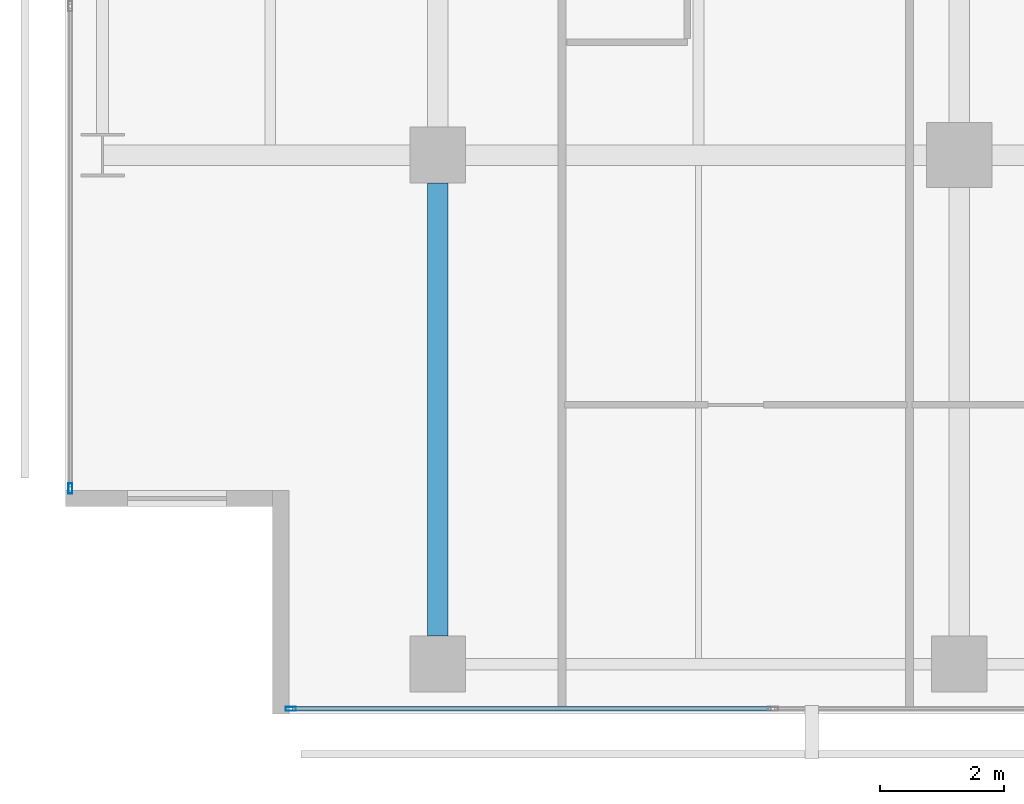
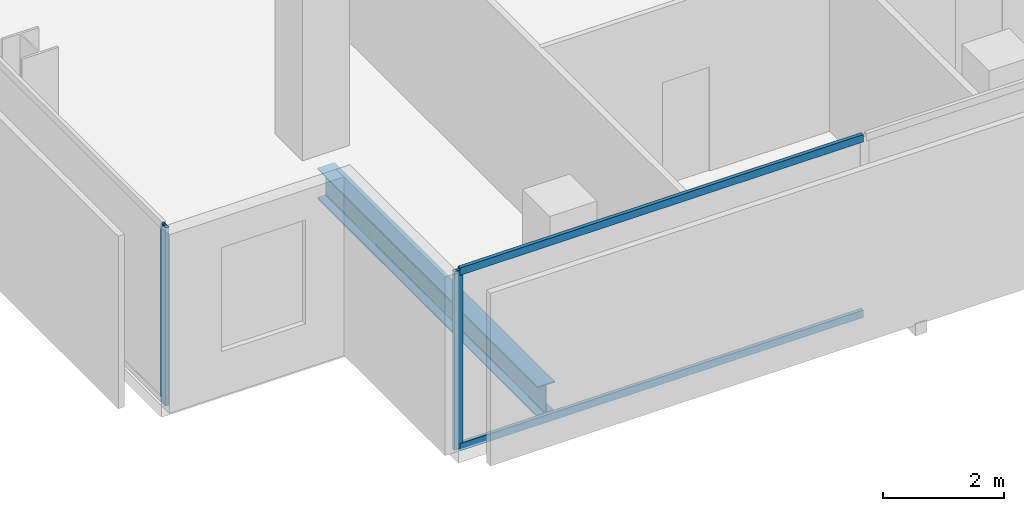
# One storey, part 2 of 41: 4 members, 1 beam, 2 elements without a shape of their own.
"""IFC4 building model written with IfcOpenShell, lengths in metres."""

from ifc_helpers import new_model, si_unit, direction, frame, origin, origin_2d, place, context, subcontext, project, spatial, hollow_rectangle, i_section, extrude, material, layer, layer_set, material_profile, profile_set, type_object, element, aggregate, save


model = new_model("IFC4")

# Units and contexts
model_context = context("Model", 3, precision=1e-05, world=origin(), true_north=direction((0.0, 1.0)))
body_context = subcontext(model_context, "Body", "Model", "MODEL_VIEW")
ifc_project = project(units=[si_unit("LENGTHUNIT", "METRE"), si_unit("AREAUNIT", "SQUARE_METRE"), si_unit("VOLUMEUNIT", "CUBIC_METRE"), si_unit("PLANEANGLEUNIT", "RADIAN"), si_unit("MASSUNIT", "GRAM", prefix="KILO")], contexts=[model_context])

# Site, building, storey
site_placement = place(None, origin())
site = spatial("IfcSite", under=ifc_project, at=site_placement, CompositionType="ELEMENT")
building_placement = place(site_placement, origin())
building = spatial("IfcBuilding", under=site, at=building_placement, Name="Maruvema Waterfront Hotel and Observation Tower", CompositionType="ELEMENT")
storey_placement = place(building_placement, frame((0.0, 0.0, 61.60009765625)))
storey = spatial("IfcBuildingStorey", under=building, at=storey_placement, Name="L14", CompositionType="ELEMENT", Elevation=61.60009765625)

# Curtain wall, members
ifc_material_1 = material(Name="Anodised bronze aluminium and solar-control low-E IGU", Category="aluminium")
ifc_layer = layer(ifc_material_1, 0.159912109375, Name="Zone 1 Bronze Inner Thermal Curtain Wall System CW-02")
ifc_layer_set = layer_set([ifc_layer], Name="Anodised bronze aluminium and solar-control low-E IGU")
curtain_wall_type = type_object("IfcCurtainWallType", Name="Zone 1 Bronze Inner Thermal Curtain Wall System CW-02", PredefinedType="USERDEFINED", material=ifc_layer_set)
curtain_wall_1_placement = place(storey_placement, origin())
curtain_wall_1 = element("IfcCurtainWall", 1, at=curtain_wall_1_placement, inside=storey, type_object=curtain_wall_type, Name="L14 Curtain Wall CW-L14-S", ObjectType="UNITISED CURTAIN WALL", PredefinedType="USERDEFINED")
ifc_material_2 = material(Name="Anodised architectural bronze aluminium", Category="aluminium")
ifc_material_profile_1 = material_profile(ifc_material_2, hollow_rectangle(XDim=0.070068359375, YDim=0.14990234375, WallThickness=0.00390625, at=origin_2d()), Name="ALU-T70x150")
ifc_profile_set_1 = profile_set([ifc_material_profile_1], Name="Anodised architectural bronze aluminium")
member_type_1 = type_object("IfcMemberType", Name="Curtain Wall Horizontal Transom ALU-T70x150", PredefinedType="USERDEFINED", material=ifc_profile_set_1)
member_1_placement = place(storey_placement, frame((14.4599609375, 0.080078125, 0.02978515625), z_axis=(1.0, 0.0, 0.0), x_axis=(0.0, 1.0, 0.0)))
member_1 = element("IfcMember", 2, at=member_1_placement, type_object=member_type_1, Name="CW-02 transom 1.1", ObjectType="TRANSOM", PredefinedType="USERDEFINED", context=body_context, shape_type="SweptSolid", body=[
    extrude(hollow_rectangle(XDim=0.070068359375, YDim=0.14990234375, WallThickness=0.00390625, at=origin_2d()), origin(), (0.0, 0.0, 1.0), 7.7099609375),
])
member_2_placement = place(storey_placement, frame((14.4599609375, 0.080078125, 3.579833984375), z_axis=(1.0, 0.0, 0.0), x_axis=(0.0, 1.0, 0.0)))
member_2 = element("IfcMember", 3, at=member_2_placement, type_object=member_type_1, Name="CW-02 transom 1.2", ObjectType="TRANSOM", PredefinedType="USERDEFINED", context=body_context, shape_type="SweptSolid", body=[
    extrude(hollow_rectangle(XDim=0.070068359375, YDim=0.14990234375, WallThickness=0.00390625, at=origin_2d()), origin(), (0.0, 0.0, 1.0), 7.7099609375),
])
ifc_material_3 = material(Name="Anodised architectural bronze aluminium", Category="aluminium")
ifc_material_profile_2 = material_profile(ifc_material_3, hollow_rectangle(XDim=0.06494140625, YDim=0.1650390625, WallThickness=0.00390625, at=origin_2d()), Name="ALU-M65x165")
ifc_profile_set_2 = profile_set([ifc_material_profile_2], Name="Anodised architectural bronze aluminium")
member_type_2 = type_object("IfcMemberType", Name="Curtain Wall Primary Mullion ALU-M65x165", PredefinedType="MULLION", material=ifc_profile_set_2)
member_3_placement = place(storey_placement, frame((14.429931640625, 0.080078125, 0.0), z_axis=(0.0, 0.0, 1.0), x_axis=(0.0, 1.0, 0.0)))
member_3 = element("IfcMember", 4, at=member_3_placement, type_object=member_type_2, Name="CW-02 mullion 1", PredefinedType="MULLION", context=body_context, shape_type="SweptSolid", body=[
    extrude(hollow_rectangle(XDim=0.06494140625, YDim=0.1650390625, WallThickness=0.00390625, at=origin_2d()), origin(), (0.0, 0.0, 1.0), 3.60986328125),
])
aggregate(curtain_wall_1, [member_3, member_1, member_2])

# Curtain wall, member
curtain_wall_2_placement = place(storey_placement, origin())
curtain_wall_2 = element("IfcCurtainWall", 5, at=curtain_wall_2_placement, inside=storey, type_object=curtain_wall_type, Name="L14 Curtain Wall CW-L14-W", ObjectType="UNITISED CURTAIN WALL", PredefinedType="USERDEFINED")
member_4_placement = place(storey_placement, frame((10.8798828125, 3.6298828125, 0.0), z_axis=(0.0, 0.0, 1.0), x_axis=(1.0, 0.0, 0.0)))
member_4 = element("IfcMember", 6, at=member_4_placement, type_object=member_type_2, Name="CW-02 mullion 7", PredefinedType="MULLION", context=body_context, shape_type="SweptSolid", body=[
    extrude(hollow_rectangle(XDim=0.06494140625, YDim=0.1650390625, WallThickness=0.00390625, at=origin_2d()), origin(), (0.0, 0.0, 1.0), 3.60986328125),
])
aggregate(curtain_wall_2, [member_4])

# Beam
ifc_material_4 = material(Name="Steel ASTM A572 Grade 50", Category="steel")
ifc_material_profile_3 = material_profile(ifc_material_4, i_section(OverallWidth=0.326904296875, OverallDepth=0.6220703125, WebThickness=0.015380859375, FlangeThickness=0.0244140625, FilletRadius=0.01806640625, at=origin_2d()), Name="W610x195.0")
ifc_profile_set_3 = profile_set([ifc_material_profile_3], Name="Steel ASTM A572 Grade 50")
beam_type = type_object("IfcBeamType", Name="Primary Floor Girder W610x195.0", PredefinedType="BEAM", material=ifc_profile_set_3)
beam_placement = place(storey_placement, frame((16.800048828125, 1.25, -0.551025390625), z_axis=(0.0, 1.0, 0.0), x_axis=(-1.0, 0.0, 0.0)))
element("IfcBeam", 7, at=beam_placement, inside=storey, type_object=beam_type, Name="L14 Floor Girder NS-05", PredefinedType="BEAM", context=body_context, shape_type="SweptSolid", body=[
    extrude(i_section(OverallWidth=0.326904296875, OverallDepth=0.6220703125, WebThickness=0.015380859375, FlangeThickness=0.0244140625, FilletRadius=0.01806640625, at=origin_2d()), origin(), (0.0, 0.0, 1.0), 7.300048828125),
])

save(model, "model.ifc")
